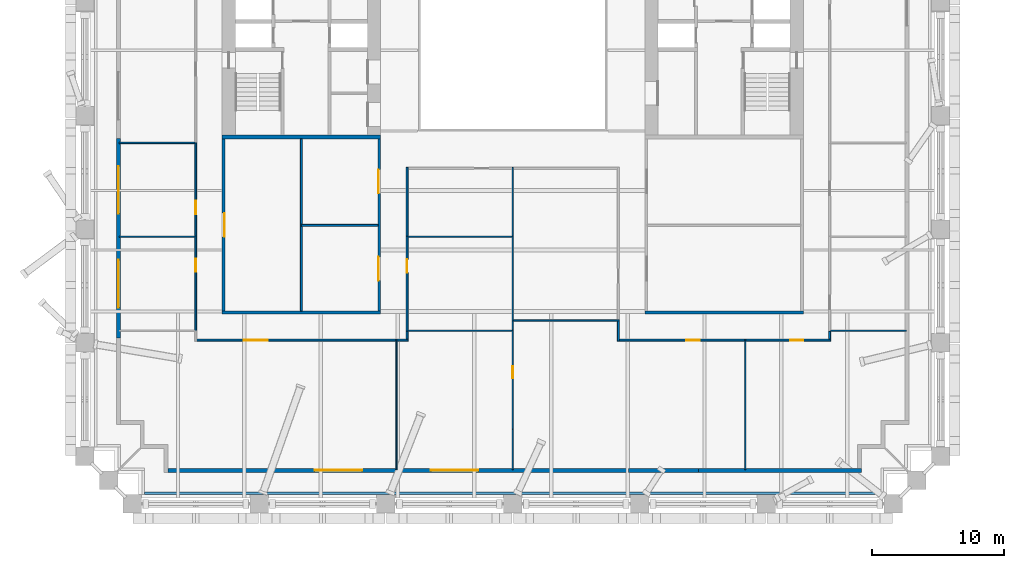
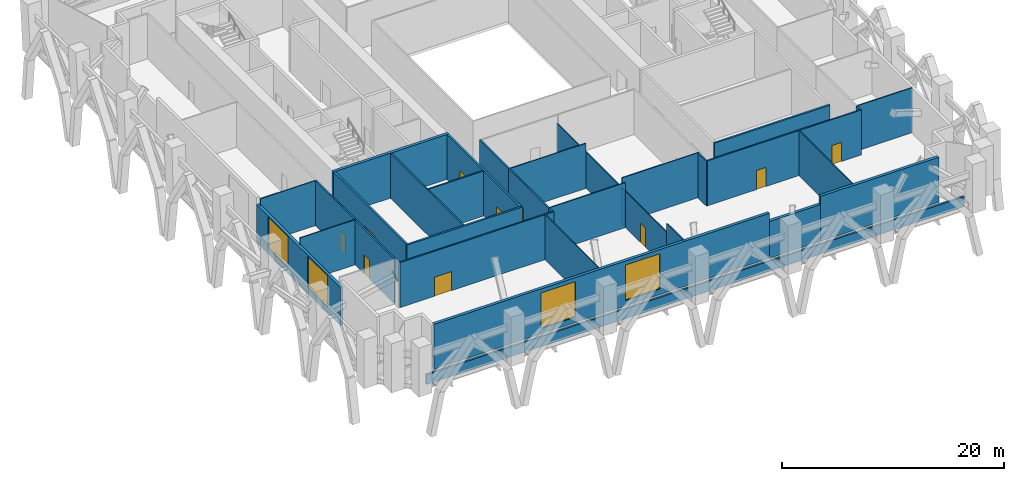
# One storey, part 5 of 19: 36 walls, 10 doors, 4 windows, 14 openings.
"""IFC4 building model written with IfcOpenShell, lengths in metres."""

from ifc_helpers import new_model, si_unit, direction, frame, frame_2d, origin, place, context, subcontext, project, spatial, rectangle, extrude, material, layer, layer_set, type_object, element, fill, save


model = new_model("IFC4")

# Units and contexts
model_context = context("Model", 3, precision=1e-05, world=origin(), true_north=direction((0.0, 1.0)))
body_context = subcontext(model_context, "Body", "Model", "MODEL_VIEW")
ifc_project = project(units=[si_unit("LENGTHUNIT", "METRE"), si_unit("AREAUNIT", "SQUARE_METRE"), si_unit("VOLUMEUNIT", "CUBIC_METRE"), si_unit("PLANEANGLEUNIT", "RADIAN"), si_unit("MASSUNIT", "GRAM", prefix="KILO")], contexts=[model_context])

# Site, building, storey
site_placement = place(None, origin())
site = spatial("IfcSite", under=ifc_project, at=site_placement, CompositionType="ELEMENT")
building_placement = place(site_placement, origin())
building = spatial("IfcBuilding", under=site, at=building_placement, Name="Ogive Exchange Tower", CompositionType="ELEMENT")
storey_placement = place(building_placement, frame((0.0, 0.0, 94.199951171875)))
storey = spatial("IfcBuildingStorey", under=building, at=storey_placement, Name="L20", CompositionType="ELEMENT", Elevation=94.199951171875)

# Walls
ifc_material_1 = material(Name="Gypsum board partition")
ifc_layer_1 = layer(ifc_material_1, 0.14990234375)
ifc_layer_set_1 = layer_set([ifc_layer_1], Name="Core room partition 150 gypsum")
wall_type_1 = type_object("IfcWallType", Name="Core room partition 150 gypsum", PredefinedType="PARTITIONING", material=ifc_layer_set_1)
wall_1_placement = place(storey_placement, frame((-16.0, -15.800048828125, 0.0), z_axis=(0.0, 0.0, 1.0), x_axis=(0.0, 1.0, 0.0)))
element("IfcWall", 1, at=wall_1_placement, inside=storey, type_object=wall_type_1, Name="W annex S column wall", PredefinedType="PARTITIONING", context=body_context, shape_type="SweptSolid", body=[
    extrude(rectangle(XDim=13.050048828125, YDim=0.14990234375, at=frame_2d((6.52490234375, 0.0))), origin(), (0.0, 0.0, 1.0), 4.949951171875),
])
wall_2_placement = place(storey_placement, frame((-16.0, -9.300048828125, 0.0), z_axis=(0.0, 0.0, 1.0), x_axis=(1.0, 0.0, 0.0)))
element("IfcWall", 2, at=wall_2_placement, inside=storey, type_object=wall_type_1, Name="W annex S cross wall", PredefinedType="PARTITIONING", context=body_context, shape_type="SweptSolid", body=[
    extrude(rectangle(XDim=5.800048828125, YDim=0.14990234375, at=frame_2d((2.89990234375, 0.0))), origin(), (0.0, 0.0, 1.0), 4.949951171875),
])

# Wall, opening, door
ifc_material_2 = material(Name="Fire partition EI 60 150")
ifc_layer_2 = layer(ifc_material_2, 0.14990234375)
ifc_layer_set_2 = layer_set([ifc_layer_2], Name="Fire partition EI 60 150")
wall_type_2 = type_object("IfcWallType", Name="Fire partition EI 60 150", PredefinedType="PARTITIONING", material=ifc_layer_set_2)
wall_3_placement = place(storey_placement, frame((-24.0, -17.2900390625, 0.0), z_axis=(0.0, 0.0, 1.0), x_axis=(0.0, 1.0, 0.0)))
wall_3 = element("IfcWall", 3, at=wall_3_placement, inside=storey, type_object=wall_type_2, Name="L20-PWL-004", PredefinedType="PARTITIONING", context=body_context, shape_type="SweptSolid", body=[
    extrude(rectangle(XDim=7.169921875, YDim=0.14990234375, at=frame_2d((3.5849609375, 0.0))), origin(), (0.0, 0.0, 1.0), 4.949951171875),
])
opening_1_placement = place(wall_3_placement, frame((4.469970703125, 0.0, 0.0)))
opening_1 = element("IfcOpeningElement", 4, at=opening_1_placement, cuts=wall_3, Name="Opening L20-I15", PredefinedType="OPENING", context=body_context, shape_type="SweptSolid", body=[
    extrude(rectangle(XDim=1.0, YDim=2.10009765625, at=frame_2d((0.5, 1.050048828125))), frame((0.0, 0.0849609375, 0.0), z_axis=(0.0, -1.0, 0.0), x_axis=(1.0, 0.0, 0.0)), (0.0, 0.0, 1.0), 0.169921875),
])
ifc_material_3 = material(Name="Fire door FD 30S 1000 x 2100")
door_type_1 = type_object("IfcDoorType", Name="Fire door FD 30S 1000 x 2100", OperationType="NOTDEFINED", PredefinedType="DOOR", material=ifc_material_3)
door_1_placement = place(opening_1_placement, origin())
door_1 = element("IfcDoor", 5, at=door_1_placement, inside=storey, type_object=door_type_1, Name="L20-IDR-015", ObjectType="DT3", OperationType="SINGLE_SWING_LEFT", OverallHeight=2.10009765625, OverallWidth=1.0, PredefinedType="DOOR", context=body_context, shape_type="SweptSolid", body=[
    extrude(rectangle(XDim=1.0, YDim=2.10009765625, at=frame_2d((0.5, 1.050048828125))), frame((0.0, 0.02490234375, 0.0), z_axis=(0.0, -1.0, 0.0), x_axis=(1.0, 0.0, 0.0)), (0.0, 0.0, 1.0), 0.050048828125),
])
fill(opening_1, door_1)

wall_4_placement = place(storey_placement, frame((-24.0, -10.1201171875, 0.0), z_axis=(0.0, 0.0, 1.0), x_axis=(0.0, 1.0, 0.0)))
wall_4 = element("IfcWall", 6, at=wall_4_placement, inside=storey, type_object=wall_type_2, Name="L20-PWL-006", PredefinedType="PARTITIONING", context=body_context, shape_type="SweptSolid", body=[
    extrude(rectangle(XDim=7.06005859375, YDim=0.14990234375, at=frame_2d((3.530029296875, 0.0))), origin(), (0.0, 0.0, 1.0), 4.949951171875),
])
opening_2_placement = place(wall_4_placement, frame((1.659912109375, 0.0, 0.0)))
opening_2 = element("IfcOpeningElement", 7, at=opening_2_placement, cuts=wall_4, Name="Opening L20-I13", PredefinedType="OPENING", context=body_context, shape_type="SweptSolid", body=[
    extrude(rectangle(XDim=1.0, YDim=2.10009765625, at=frame_2d((0.5, 1.050048828125))), frame((0.0, 0.0849609375, 0.0), z_axis=(0.0, -1.0, 0.0), x_axis=(1.0, 0.0, 0.0)), (0.0, 0.0, 1.0), 0.169921875),
])
door_2_placement = place(opening_2_placement, origin())
door_2 = element("IfcDoor", 8, at=door_2_placement, inside=storey, type_object=door_type_1, Name="L20-IDR-013", ObjectType="DT3", OperationType="SINGLE_SWING_RIGHT", OverallHeight=2.10009765625, OverallWidth=1.0, PredefinedType="DOOR", context=body_context, shape_type="SweptSolid", body=[
    extrude(rectangle(XDim=1.0, YDim=2.10009765625, at=frame_2d((0.5, 1.050048828125))), frame((0.0, 0.02490234375, 0.0), z_axis=(0.0, -1.0, 0.0), x_axis=(1.0, 0.0, 0.0)), (0.0, 0.0, 1.0), 0.050048828125),
])
fill(opening_2, door_2)

wall_5_placement = place(storey_placement, frame((-8.85009765625, -18.0, 0.0), z_axis=(0.0, 0.0, 1.0), x_axis=(-1.0, 0.0, 0.0)))
wall_5 = element("IfcWall", 9, at=wall_5_placement, inside=storey, type_object=wall_type_2, Name="L20-PWL-012", PredefinedType="PARTITIONING", context=body_context, shape_type="SweptSolid", body=[
    extrude(rectangle(XDim=15.074951171875, YDim=0.14990234375, at=frame_2d((7.53759765625, 0.0))), origin(), (0.0, 0.0, 1.0), 4.949951171875),
])
opening_3_placement = place(wall_5_placement, frame((9.699951171875, 0.0, 0.0)))
opening_3 = element("IfcOpeningElement", 10, at=opening_3_placement, cuts=wall_5, Name="Opening L20-I17", PredefinedType="OPENING", context=body_context, shape_type="SweptSolid", body=[
    extrude(rectangle(XDim=1.800048828125, YDim=2.10009765625, at=frame_2d((0.89990234375, 1.050048828125))), frame((0.0, 0.0849609375, 0.0), z_axis=(0.0, -1.0, 0.0), x_axis=(1.0, 0.0, 0.0)), (0.0, 0.0, 1.0), 0.169921875),
])
ifc_material_4 = material(Name="Fire door FD 30S 1800 x 2100")
door_type_2 = type_object("IfcDoorType", Name="Fire door FD 30S 1800 x 2100", OperationType="DOUBLE_DOOR_SINGLE_SWING", PredefinedType="DOOR", material=ifc_material_4)
door_3_placement = place(opening_3_placement, origin())
door_3 = element("IfcDoor", 11, at=door_3_placement, inside=storey, type_object=door_type_2, Name="L20-IDR-017", ObjectType="DT4", OperationType="SINGLE_SWING_RIGHT", OverallHeight=2.10009765625, OverallWidth=1.800048828125, PredefinedType="DOOR", context=body_context, shape_type="SweptSolid", body=[
    extrude(rectangle(XDim=1.800048828125, YDim=2.10009765625, at=frame_2d((0.89990234375, 1.050048828125))), frame((0.0, 0.02490234375, 0.0), z_axis=(0.0, -1.0, 0.0), x_axis=(1.0, 0.0, 0.0)), (0.0, 0.0, 1.0), 0.050048828125),
])
fill(opening_3, door_3)

# Walls
wall_6_placement = place(storey_placement, frame((-7.925048828125, -18.0, 0.0), z_axis=(0.0, 0.0, 1.0), x_axis=(-1.0, 0.0, 0.0)))
element("IfcWall", 12, at=wall_6_placement, inside=storey, type_object=wall_type_2, Name="L20-PWL-014", PredefinedType="PARTITIONING", context=body_context, shape_type="SweptSolid", body=[
    extrude(rectangle(XDim=0.824951171875, YDim=0.14990234375, at=frame_2d((0.41259765625, 0.0))), origin(), (0.0, 0.0, 1.0), 4.949951171875),
])
wall_7_placement = place(storey_placement, frame((-8.0, -17.340087890625, 0.0), z_axis=(0.0, 0.0, 1.0), x_axis=(0.0, -1.0, 0.0)))
element("IfcWall", 13, at=wall_7_placement, inside=storey, type_object=wall_type_2, Name="L20-PWL-015", PredefinedType="PARTITIONING", context=body_context, shape_type="SweptSolid", body=[
    extrude(rectangle(XDim=0.5849609375, YDim=0.14990234375, at=frame_2d((0.29248046875, 0.0))), origin(), (0.0, 0.0, 1.0), 4.949951171875),
])

# Wall, opening, door
wall_8_placement = place(storey_placement, frame((-8.0, -10.1201171875, 0.0), z_axis=(0.0, 0.0, 1.0), x_axis=(0.0, -1.0, 0.0)))
wall_8 = element("IfcWall", 14, at=wall_8_placement, inside=storey, type_object=wall_type_2, Name="L20-PWL-016", PredefinedType="PARTITIONING", context=body_context, shape_type="SweptSolid", body=[
    extrude(rectangle(XDim=7.219970703125, YDim=0.14990234375, at=frame_2d((3.60986328125, 0.0))), origin(), (0.0, 0.0, 1.0), 4.949951171875),
])
opening_4_placement = place(wall_8_placement, frame((1.77001953125, 0.0, 0.0)))
opening_4 = element("IfcOpeningElement", 15, at=opening_4_placement, cuts=wall_8, Name="Opening L20-I14", PredefinedType="OPENING", context=body_context, shape_type="SweptSolid", body=[
    extrude(rectangle(XDim=1.0, YDim=2.10009765625, at=frame_2d((0.5, 1.050048828125))), frame((0.0, 0.0849609375, 0.0), z_axis=(0.0, -1.0, 0.0), x_axis=(1.0, 0.0, 0.0)), (0.0, 0.0, 1.0), 0.169921875),
])
door_4_placement = place(opening_4_placement, origin())
door_4 = element("IfcDoor", 16, at=door_4_placement, inside=storey, type_object=door_type_1, Name="L20-IDR-014", ObjectType="DT3", OperationType="SINGLE_SWING_RIGHT", OverallHeight=2.10009765625, OverallWidth=1.0, PredefinedType="DOOR", context=body_context, shape_type="SweptSolid", body=[
    extrude(rectangle(XDim=1.0, YDim=2.10009765625, at=frame_2d((0.5, 1.050048828125))), frame((0.0, 0.02490234375, 0.0), z_axis=(0.0, -1.0, 0.0), x_axis=(1.0, 0.0, 0.0)), (0.0, 0.0, 1.0), 0.050048828125),
])
fill(opening_4, door_4)

# Walls
wall_9_placement = place(storey_placement, frame((-8.0, -4.925048828125, 0.0), z_axis=(0.0, 0.0, 1.0), x_axis=(0.0, -1.0, 0.0)))
element("IfcWall", 17, at=wall_9_placement, inside=storey, type_object=wall_type_2, Name="L20-PWL-017", PredefinedType="PARTITIONING", context=body_context, shape_type="SweptSolid", body=[
    extrude(rectangle(XDim=5.195068359375, YDim=0.14990234375, at=frame_2d((2.59765625, 0.0))), origin(), (0.0, 0.0, 1.0), 4.949951171875),
])
wall_10_placement = place(storey_placement, frame((8.0, -18.074951171875, 0.0), z_axis=(0.0, 0.0, 1.0), x_axis=(0.0, 1.0, 0.0)))
element("IfcWall", 18, at=wall_10_placement, inside=storey, type_object=wall_type_2, Name="L20-PWL-028", PredefinedType="PARTITIONING", context=body_context, shape_type="SweptSolid", body=[
    extrude(rectangle(XDim=1.52490234375, YDim=0.14990234375, at=frame_2d((0.762451171875, 0.0))), origin(), (0.0, 0.0, 1.0), 4.949951171875),
])

# Wall, opening, door
wall_11_placement = place(storey_placement, frame((17.550048828125, -18.0, 0.0), z_axis=(0.0, 0.0, 1.0), x_axis=(-1.0, 0.0, 0.0)))
wall_11 = element("IfcWall", 19, at=wall_11_placement, inside=storey, type_object=wall_type_2, Name="L20-PWL-034", PredefinedType="PARTITIONING", context=body_context, shape_type="SweptSolid", body=[
    extrude(rectangle(XDim=9.47509765625, YDim=0.14990234375, at=frame_2d((4.737548828125, 0.0))), origin(), (0.0, 0.0, 1.0), 4.949951171875),
])
opening_5_placement = place(wall_11_placement, frame((3.39990234375, 0.0, 0.0)))
opening_5 = element("IfcOpeningElement", 20, at=opening_5_placement, cuts=wall_11, Name="Opening L20-I10", PredefinedType="OPENING", context=body_context, shape_type="SweptSolid", body=[
    extrude(rectangle(XDim=1.0, YDim=2.10009765625, at=frame_2d((0.5, 1.050048828125))), frame((0.0, 0.0849609375, 0.0), z_axis=(0.0, -1.0, 0.0), x_axis=(1.0, 0.0, 0.0)), (0.0, 0.0, 1.0), 0.169921875),
])
door_5_placement = place(opening_5_placement, origin())
door_5 = element("IfcDoor", 21, at=door_5_placement, inside=storey, type_object=door_type_1, Name="L20-IDR-010", ObjectType="DT3", OperationType="SINGLE_SWING_RIGHT", OverallHeight=2.10009765625, OverallWidth=1.0, PredefinedType="DOOR", context=body_context, shape_type="SweptSolid", body=[
    extrude(rectangle(XDim=1.0, YDim=2.10009765625, at=frame_2d((0.5, 1.050048828125))), frame((0.0, 0.02490234375, 0.0), z_axis=(0.0, -1.0, 0.0), x_axis=(1.0, 0.0, 0.0)), (0.0, 0.0, 1.0), 0.050048828125),
])
fill(opening_5, door_5)

wall_12_placement = place(storey_placement, frame((24.074951171875, -18.0, 0.0), z_axis=(0.0, 0.0, 1.0), x_axis=(-1.0, 0.0, 0.0)))
wall_12 = element("IfcWall", 22, at=wall_12_placement, inside=storey, type_object=wall_type_2, Name="L20-PWL-035", PredefinedType="PARTITIONING", context=body_context, shape_type="SweptSolid", body=[
    extrude(rectangle(XDim=6.425048828125, YDim=0.14990234375, at=frame_2d((3.21240234375, 0.0))), origin(), (0.0, 0.0, 1.0), 4.949951171875),
])
opening_6_placement = place(wall_12_placement, frame((2.074951171875, 0.0, 0.0)))
opening_6 = element("IfcOpeningElement", 23, at=opening_6_placement, cuts=wall_12, Name="Opening L20-I09", PredefinedType="OPENING", context=body_context, shape_type="SweptSolid", body=[
    extrude(rectangle(XDim=1.0, YDim=2.10009765625, at=frame_2d((0.5, 1.050048828125))), frame((0.0, 0.0849609375, 0.0), z_axis=(0.0, -1.0, 0.0), x_axis=(1.0, 0.0, 0.0)), (0.0, 0.0, 1.0), 0.169921875),
])
door_6_placement = place(opening_6_placement, origin())
door_6 = element("IfcDoor", 24, at=door_6_placement, inside=storey, type_object=door_type_1, Name="L20-IDR-009", ObjectType="DT3", OperationType="SINGLE_SWING_LEFT", OverallHeight=2.10009765625, OverallWidth=1.0, PredefinedType="DOOR", context=body_context, shape_type="SweptSolid", body=[
    extrude(rectangle(XDim=1.0, YDim=2.10009765625, at=frame_2d((0.5, 1.050048828125))), frame((0.0, 0.02490234375, 0.0), z_axis=(0.0, -1.0, 0.0), x_axis=(1.0, 0.0, 0.0)), (0.0, 0.0, 1.0), 0.050048828125),
])
fill(opening_6, door_6)

# Wall
wall_13_placement = place(storey_placement, frame((24.0, -17.340087890625, 0.0), z_axis=(0.0, 0.0, 1.0), x_axis=(0.0, -1.0, 0.0)))
element("IfcWall", 25, at=wall_13_placement, inside=storey, type_object=wall_type_2, Name="L20-PWL-036", PredefinedType="PARTITIONING", context=body_context, shape_type="SweptSolid", body=[
    extrude(rectangle(XDim=0.5849609375, YDim=0.14990234375, at=frame_2d((0.29248046875, 0.0))), origin(), (0.0, 0.0, 1.0), 4.949951171875),
])

# Wall, openings, windows
ifc_material_5 = material(Name="Precast concrete C40/50", Category="concrete")
ifc_layer_3 = layer(ifc_material_5, 0.300048828125)
ifc_layer_set_3 = layer_set([ifc_layer_3], Name="Limestone-faced wall 300")
wall_type_3 = type_object("IfcWallType", Name="Limestone-faced wall 300", PredefinedType="STANDARD", material=ifc_layer_set_3)
wall_14_placement = place(storey_placement, frame((-26.10009765625, -27.85009765625, 0.0), z_axis=(0.0, 0.0, 1.0), x_axis=(1.0, 0.0, 0.0)))
wall_14 = element("IfcWall", 26, at=wall_14_placement, inside=storey, type_object=wall_type_3, Name="External wall S1", PredefinedType="STANDARD", context=body_context, shape_type="SweptSolid", body=[
    extrude(rectangle(XDim=34.873046875, YDim=0.300048828125, at=frame_2d((17.4365234375, 0.0))), origin(), (0.0, 0.0, 1.0), 4.949951171875),
])
opening_7_placement = place(wall_14_placement, frame((11.10009765625, 0.0, 0.60009765625)))
opening_7 = element("IfcOpeningElement", 27, at=opening_7_placement, cuts=wall_14, Name="Opening LV1", PredefinedType="OPENING", context=body_context, shape_type="SweptSolid", body=[
    extrude(rectangle(XDim=3.60009765625, YDim=3.89990234375, at=frame_2d((1.800048828125, 1.949951171875))), frame((0.0, 0.159912109375, 0.0), z_axis=(0.0, -1.0, 0.0), x_axis=(1.0, 0.0, 0.0)), (0.0, 0.0, 1.0), 0.320068359375),
])
opening_8_placement = place(wall_14_placement, frame((19.89990234375, 0.0, 0.60009765625)))
opening_8 = element("IfcOpeningElement", 28, at=opening_8_placement, cuts=wall_14, Name="Opening LV1", PredefinedType="OPENING", context=body_context, shape_type="SweptSolid", body=[
    extrude(rectangle(XDim=3.60009765625, YDim=3.89990234375, at=frame_2d((1.800048828125, 1.949951171875))), frame((0.0, 0.159912109375, 0.0), z_axis=(0.0, -1.0, 0.0), x_axis=(1.0, 0.0, 0.0)), (0.0, 0.0, 1.0), 0.320068359375),
])
ifc_material_6 = material(Name="Anodised aluminium louvre", Category="aluminium")
window_type_1 = type_object("IfcWindowType", Name="Plant louvre 3600 x 3900", PartitioningType="DOUBLE_PANEL_HORIZONTAL", PredefinedType="WINDOW", material=ifc_material_6)
window_1_placement = place(opening_7_placement, origin())
window_1 = element("IfcWindow", 29, at=window_1_placement, inside=storey, type_object=window_type_1, Name="Louvre S01", OverallHeight=3.89990234375, OverallWidth=3.60009765625, PartitioningType="DOUBLE_PANEL_HORIZONTAL", PredefinedType="WINDOW", context=body_context, shape_type="SweptSolid", body=[
    extrude(rectangle(XDim=3.60009765625, YDim=3.89990234375, at=frame_2d((1.800048828125, 1.949951171875))), frame((0.0, 0.030029296875, 0.0), z_axis=(0.0, -1.0, 0.0), x_axis=(1.0, 0.0, 0.0)), (0.0, 0.0, 1.0), 0.06005859375),
])
fill(opening_7, window_1)
window_2_placement = place(opening_8_placement, origin())
window_2 = element("IfcWindow", 30, at=window_2_placement, inside=storey, type_object=window_type_1, Name="Louvre S02", OverallHeight=3.89990234375, OverallWidth=3.60009765625, PartitioningType="DOUBLE_PANEL_HORIZONTAL", PredefinedType="WINDOW", context=body_context, shape_type="SweptSolid", body=[
    extrude(rectangle(XDim=3.60009765625, YDim=3.89990234375, at=frame_2d((1.800048828125, 1.949951171875))), frame((0.0, 0.030029296875, 0.0), z_axis=(0.0, -1.0, 0.0), x_axis=(1.0, 0.0, 0.0)), (0.0, 0.0, 1.0), 0.06005859375),
])
fill(opening_8, window_2)

# Walls
wall_15_placement = place(storey_placement, frame((8.77294921875, -27.85009765625, 0.0), z_axis=(0.0, 0.0, 1.0), x_axis=(1.0, 0.0, 0.0)))
element("IfcWall", 31, at=wall_15_placement, inside=storey, type_object=wall_type_3, Name="External wall S1", PredefinedType="STANDARD", context=body_context, shape_type="SweptSolid", body=[
    extrude(rectangle(XDim=5.30029296875, YDim=0.300048828125, at=frame_2d((2.650146484375, 0.0))), origin(), (0.0, 0.0, 1.0), 4.050048828125),
])
wall_16_placement = place(storey_placement, frame((14.0732421875, -27.85009765625, 0.0), z_axis=(0.0, 0.0, 1.0), x_axis=(1.0, 0.0, 0.0)))
element("IfcWall", 32, at=wall_16_placement, inside=storey, type_object=wall_type_3, Name="External wall S1", PredefinedType="STANDARD", context=body_context, shape_type="SweptSolid", body=[
    extrude(rectangle(XDim=12.32666015625, YDim=0.300048828125, at=frame_2d((6.163330078125, 0.0))), origin(), (0.0, 0.0, 1.0), 4.949951171875),
])

# Wall, openings, windows
wall_17_placement = place(storey_placement, frame((-29.85009765625, -2.728515625, 0.0), z_axis=(0.0, 0.0, 1.0), x_axis=(0.0, -1.0, 0.0)))
wall_17 = element("IfcWall", 33, at=wall_17_placement, inside=storey, type_object=wall_type_3, Name="External wall W4", PredefinedType="STANDARD", context=body_context, shape_type="SweptSolid", body=[
    extrude(rectangle(XDim=15.10400390625, YDim=0.300048828125, at=frame_2d((7.552001953125, 0.0))), origin(), (0.0, 0.0, 1.0), 4.196044921875),
])
opening_9_placement = place(wall_17_placement, frame((2.085693359375, 0.0, 0.60009765625)))
opening_9 = element("IfcOpeningElement", 34, at=opening_9_placement, cuts=wall_17, Name="Opening LV1F", PredefinedType="OPENING", context=body_context, shape_type="SweptSolid", body=[
    extrude(rectangle(XDim=3.60009765625, YDim=3.47509765625, at=frame_2d((1.800048828125, 1.737548828125))), frame((0.0, 0.159912109375, 0.0), z_axis=(0.0, -1.0, 0.0), x_axis=(1.0, 0.0, 0.0)), (0.0, 0.0, 1.0), 0.320068359375),
])
opening_10_placement = place(wall_17_placement, frame((9.199951171875, 0.0, 0.60009765625)))
opening_10 = element("IfcOpeningElement", 35, at=opening_10_placement, cuts=wall_17, Name="Opening LV1F", PredefinedType="OPENING", context=body_context, shape_type="SweptSolid", body=[
    extrude(rectangle(XDim=3.60009765625, YDim=3.47509765625, at=frame_2d((1.800048828125, 1.737548828125))), frame((0.0, 0.159912109375, 0.0), z_axis=(0.0, -1.0, 0.0), x_axis=(1.0, 0.0, 0.0)), (0.0, 0.0, 1.0), 0.320068359375),
])
window_type_2 = type_object("IfcWindowType", Name="Plant louvre 3600 x 3475", PartitioningType="DOUBLE_PANEL_HORIZONTAL", PredefinedType="WINDOW", material=ifc_material_6)
window_3_placement = place(opening_9_placement, origin())
window_3 = element("IfcWindow", 36, at=window_3_placement, inside=storey, type_object=window_type_2, Name="Louvre W04", OverallHeight=3.47509765625, OverallWidth=3.60009765625, PartitioningType="DOUBLE_PANEL_HORIZONTAL", PredefinedType="WINDOW", context=body_context, shape_type="SweptSolid", body=[
    extrude(rectangle(XDim=3.60009765625, YDim=3.47509765625, at=frame_2d((1.800048828125, 1.737548828125))), frame((0.0, 0.030029296875, 0.0), z_axis=(0.0, -1.0, 0.0), x_axis=(1.0, 0.0, 0.0)), (0.0, 0.0, 1.0), 0.06005859375),
])
fill(opening_9, window_3)
window_4_placement = place(opening_10_placement, origin())
window_4 = element("IfcWindow", 37, at=window_4_placement, inside=storey, type_object=window_type_2, Name="Louvre W05", OverallHeight=3.47509765625, OverallWidth=3.60009765625, PartitioningType="DOUBLE_PANEL_HORIZONTAL", PredefinedType="WINDOW", context=body_context, shape_type="SweptSolid", body=[
    extrude(rectangle(XDim=3.60009765625, YDim=3.47509765625, at=frame_2d((1.800048828125, 1.737548828125))), frame((0.0, 0.030029296875, 0.0), z_axis=(0.0, -1.0, 0.0), x_axis=(1.0, 0.0, 0.0)), (0.0, 0.0, 1.0), 0.06005859375),
])
fill(opening_10, window_4)

# Walls
ifc_material_7 = material(Name="Partition 100 gypsum")
ifc_layer_4 = layer(ifc_material_7, 0.10009765625)
ifc_layer_set_4 = layer_set([ifc_layer_4], Name="Partition 100 gypsum")
wall_type_4 = type_object("IfcWallType", Name="Partition 100 gypsum", PredefinedType="PARTITIONING", material=ifc_layer_set_4)
for number, where, z_axis, x_axis, name in (
    (38, (-24.074951171875, -10.169921875, 0.0), (0.0, 0.0, 1.0), (-1.0, 0.0, 0.0), "L20-PWL-005"),
    (39, (-24.074951171875, -3.06005859375, 0.0), (0.0, 0.0, 1.0), (-1.0, 0.0, 0.0), "L20-PWL-007"),
):
    element("IfcWall", number, at=place(storey_placement, frame(where, z_axis=z_axis, x_axis=x_axis)), inside=storey, type_object=wall_type_4, Name=name, PredefinedType="PARTITIONING", context=body_context, shape_type="SweptSolid", body=[
        extrude(rectangle(XDim=5.72509765625, YDim=0.10009765625, at=frame_2d((2.862548828125, 0.0))), origin(), (0.0, 0.0, 1.0), 4.949951171875),
    ])
wall_18_placement = place(storey_placement, frame((-8.800048828125, -27.800048828125, 0.0), z_axis=(0.0, 0.0, 1.0), x_axis=(0.0, 1.0, 0.0)))
element("IfcWall", 40, at=wall_18_placement, inside=storey, type_object=wall_type_4, Name="L20-PWL-011", PredefinedType="PARTITIONING", context=body_context, shape_type="SweptSolid", body=[
    extrude(rectangle(XDim=9.875, YDim=0.10009765625, at=frame_2d((4.9375, 0.0))), origin(), (0.0, 0.0, 1.0), 4.949951171875),
])
wall_19_placement = place(storey_placement, frame((0.0, -27.800048828125, 0.0), z_axis=(0.0, 0.0, 1.0), x_axis=(0.0, 1.0, 0.0)))
element("IfcWall", 41, at=wall_19_placement, inside=storey, type_object=wall_type_4, Name="L20-PWL-020", PredefinedType="PARTITIONING", context=body_context, shape_type="SweptSolid", body=[
    extrude(rectangle(XDim=3.049072265625, YDim=0.10009765625, at=frame_2d((1.5244140625, 0.0))), origin(), (0.0, 0.0, 1.0), 4.949951171875),
])
wall_20_placement = place(storey_placement, frame((-0.050048828125, -17.2900390625, 0.0), z_axis=(0.0, 0.0, 1.0), x_axis=(-1.0, 0.0, 0.0)))
element("IfcWall", 42, at=wall_20_placement, inside=storey, type_object=wall_type_4, Name="L20-PWL-021", PredefinedType="PARTITIONING", context=body_context, shape_type="SweptSolid", body=[
    extrude(rectangle(XDim=7.875, YDim=0.10009765625, at=frame_2d((3.9375, 0.0))), origin(), (0.0, 0.0, 1.0), 4.949951171875),
])
wall_21_placement = place(storey_placement, frame((0.0, -17.239990234375, 0.0), z_axis=(0.0, 0.0, 1.0), x_axis=(0.0, 1.0, 0.0)))
element("IfcWall", 43, at=wall_21_placement, inside=storey, type_object=wall_type_4, Name="L20-PWL-022", PredefinedType="PARTITIONING", context=body_context, shape_type="SweptSolid", body=[
    extrude(rectangle(XDim=0.68994140625, YDim=0.10009765625, at=frame_2d((0.344970703125, 0.0))), origin(), (0.0, 0.0, 1.0), 3.969970703125),
])
wall_22_placement = place(storey_placement, frame((0.0, -16.550048828125, 0.0), z_axis=(0.0, 0.0, 1.0), x_axis=(0.0, 1.0, 0.0)))
element("IfcWall", 44, at=wall_22_placement, inside=storey, type_object=wall_type_4, Name="L20-PWL-023", PredefinedType="PARTITIONING", context=body_context, shape_type="SweptSolid", body=[
    extrude(rectangle(XDim=6.429931640625, YDim=0.10009765625, at=frame_2d((3.21484375, 0.0))), origin(), (0.0, 0.0, 1.0), 3.969970703125),
])
wall_23_placement = place(storey_placement, frame((0.050048828125, -16.5, 0.0), z_axis=(0.0, 0.0, 1.0), x_axis=(1.0, 0.0, 0.0)))
element("IfcWall", 45, at=wall_23_placement, inside=storey, type_object=wall_type_4, Name="L20-PWL-024", PredefinedType="PARTITIONING", context=body_context, shape_type="SweptSolid", body=[
    extrude(rectangle(XDim=8.02490234375, YDim=0.10009765625, at=frame_2d((4.012451171875, 0.0))), origin(), (0.0, 0.0, 1.0), 4.949951171875),
])
wall_24_placement = place(storey_placement, frame((-0.050048828125, -10.169921875, 0.0), z_axis=(0.0, 0.0, 1.0), x_axis=(-1.0, 0.0, 0.0)))
element("IfcWall", 46, at=wall_24_placement, inside=storey, type_object=wall_type_4, Name="L20-PWL-025", PredefinedType="PARTITIONING", context=body_context, shape_type="SweptSolid", body=[
    extrude(rectangle(XDim=7.875, YDim=0.10009765625, at=frame_2d((3.9375, 0.0))), origin(), (0.0, 0.0, 1.0), 4.949951171875),
])
wall_25_placement = place(storey_placement, frame((0.0, -10.1201171875, 0.0), z_axis=(0.0, 0.0, 1.0), x_axis=(0.0, 1.0, 0.0)))
element("IfcWall", 47, at=wall_25_placement, inside=storey, type_object=wall_type_4, Name="L20-PWL-026", PredefinedType="PARTITIONING", context=body_context, shape_type="SweptSolid", body=[
    extrude(rectangle(XDim=5.195068359375, YDim=0.10009765625, at=frame_2d((2.59765625, 0.0))), origin(), (0.0, 0.0, 1.0), 3.969970703125),
])
wall_26_placement = place(storey_placement, frame((17.60009765625, -27.800048828125, 0.0), z_axis=(0.0, 0.0, 1.0), x_axis=(0.0, 1.0, 0.0)))
element("IfcWall", 48, at=wall_26_placement, inside=storey, type_object=wall_type_4, Name="L20-PWL-033", PredefinedType="PARTITIONING", context=body_context, shape_type="SweptSolid", body=[
    extrude(rectangle(XDim=9.875, YDim=0.10009765625, at=frame_2d((4.9375, 0.0))), origin(), (0.0, 0.0, 1.0), 4.949951171875),
])
wall_27_placement = place(storey_placement, frame((29.800048828125, -17.2900390625, 0.0), z_axis=(0.0, 0.0, 1.0), x_axis=(-1.0, 0.0, 0.0)))
element("IfcWall", 49, at=wall_27_placement, inside=storey, type_object=wall_type_4, Name="L20-PWL-045", PredefinedType="PARTITIONING", context=body_context, shape_type="SweptSolid", body=[
    extrude(rectangle(XDim=5.72509765625, YDim=0.10009765625, at=frame_2d((2.862548828125, 0.0))), origin(), (0.0, 0.0, 1.0), 4.949951171875),
])

# Wall, opening, door
wall_28_placement = place(storey_placement, frame((0.0, -24.7509765625, 0.0), z_axis=(0.0, 0.0, 1.0), x_axis=(0.0, 1.0, 0.0)))
wall_28 = element("IfcWall", 50, at=wall_28_placement, inside=storey, type_object=wall_type_4, Name="L20-PWL-020", PredefinedType="PARTITIONING", context=body_context, shape_type="SweptSolid", body=[
    extrude(rectangle(XDim=7.510986328125, YDim=0.10009765625, at=frame_2d((3.75537109375, 0.0))), origin(), (0.0, 0.0, 1.0), 3.969970703125),
])
opening_11_placement = place(wall_28_placement, frame((3.861083984375, 0.0, 0.0)))
opening_11 = element("IfcOpeningElement", 51, at=opening_11_placement, cuts=wall_28, Name="Opening L20-I16", PredefinedType="OPENING", context=body_context, shape_type="SweptSolid", body=[
    extrude(rectangle(XDim=0.89990234375, YDim=2.10009765625, at=frame_2d((0.449951171875, 1.050048828125))), frame((0.0, 0.06005859375, 0.0), z_axis=(0.0, -1.0, 0.0), x_axis=(1.0, 0.0, 0.0)), (0.0, 0.0, 1.0), 0.1201171875),
])
ifc_material_8 = material(Name="Door 900 x 2100")
door_type_3 = type_object("IfcDoorType", Name="Door 900 x 2100", OperationType="NOTDEFINED", PredefinedType="DOOR", material=ifc_material_8)
door_7_placement = place(opening_11_placement, frame((0.89990234375, 0.0, 0.0), z_axis=(0.0, 0.0, 1.0), x_axis=(-1.0, 0.0, 0.0)))
door_7 = element("IfcDoor", 52, at=door_7_placement, inside=storey, type_object=door_type_3, Name="L20-IDR-016", ObjectType="DT1", OperationType="SINGLE_SWING_RIGHT", OverallHeight=2.10009765625, OverallWidth=0.89990234375, PredefinedType="DOOR", context=body_context, shape_type="SweptSolid", body=[
    extrude(rectangle(XDim=0.89990234375, YDim=2.10009765625, at=frame_2d((0.449951171875, 1.050048828125))), frame((0.0, 0.02490234375, 0.0), z_axis=(0.0, -1.0, 0.0), x_axis=(1.0, 0.0, 0.0)), (0.0, 0.0, 1.0), 0.050048828125),
])
fill(opening_11, door_7)

# Wall
ifc_layer_5 = layer(ifc_material_5, 0.199951171875)
ifc_layer_set_5 = layer_set([ifc_layer_5], Name="Plant deck parapet 200")
wall_type_5 = type_object("IfcWallType", Name="Plant deck parapet 200", PredefinedType="STANDARD", material=ifc_layer_set_5)
wall_29_placement = place(storey_placement, frame((-27.8798828125, -29.580078125, -0.050048828125), z_axis=(0.0, 0.0, 1.0), x_axis=(1.0, 0.0, 0.0)))
element("IfcWall", 53, at=wall_29_placement, inside=storey, type_object=wall_type_5, Name="Plant deck parapet 1", PredefinedType="STANDARD", context=body_context, shape_type="SweptSolid", body=[
    extrude(rectangle(XDim=55.9599609375, YDim=0.199951171875, at=frame_2d((27.97998046875, 0.0))), origin(), (0.0, 0.0, 1.0), 1.10009765625),
])

# Wall, opening, door
ifc_material_9 = material(Name="Concrete C70/85", Category="concrete")
ifc_layer_6 = layer(ifc_material_9, 0.199951171875)
ifc_layer_set_6 = layer_set([ifc_layer_6], Name="RC core wall 200 C70/85")
wall_type_6 = type_object("IfcWallType", Name="RC core wall 200 C70/85", PredefinedType="SHEAR", material=ifc_layer_set_6)
wall_30_placement = place(storey_placement, frame((-21.89990234375, -15.800048828125, 0.0), z_axis=(0.0, 0.0, 1.0), x_axis=(0.0, 1.0, 0.0)))
wall_30 = element("IfcWall", 54, at=wall_30_placement, inside=storey, type_object=wall_type_6, Name="W annex S outer wall", PredefinedType="SHEAR", context=body_context, shape_type="SweptSolid", body=[
    extrude(rectangle(XDim=13.050048828125, YDim=0.199951171875, at=frame_2d((6.52490234375, 0.0))), origin(), (0.0, 0.0, 1.0), 4.949951171875),
])
opening_12_placement = place(wall_30_placement, frame((5.625, 0.0, 0.0)))
opening_12 = element("IfcOpeningElement", 55, at=opening_12_placement, cuts=wall_30, Name="Opening L20-C18", PredefinedType="OPENING", context=body_context, shape_type="SweptSolid", body=[
    extrude(rectangle(XDim=1.800048828125, YDim=2.39990234375, at=frame_2d((0.89990234375, 1.199951171875))), frame((0.0, 0.10986328125, 0.0), z_axis=(0.0, -1.0, 0.0), x_axis=(1.0, 0.0, 0.0)), (0.0, 0.0, 1.0), 0.219970703125),
])
ifc_material_10 = material(Name="Steel fire door", Category="steel")
door_type_4 = type_object("IfcDoorType", Name="Plant room door FD60 1800 x 2400", OperationType="DOUBLE_DOOR_SINGLE_SWING", PredefinedType="DOOR", material=ifc_material_10)
door_8_placement = place(opening_12_placement, frame((1.800048828125, -0.14990234375, 0.0), z_axis=(0.0, 0.0, 1.0), x_axis=(-1.0, 0.0, 0.0)))
door_8 = element("IfcDoor", 56, at=door_8_placement, inside=storey, type_object=door_type_4, Name="Plant room door", ObjectType="CD1", OperationType="DOUBLE_DOOR_SINGLE_SWING", OverallHeight=2.39990234375, OverallWidth=1.800048828125, PredefinedType="DOOR", context=body_context, shape_type="SweptSolid", body=[
    extrude(rectangle(XDim=1.800048828125, YDim=2.39990234375, at=frame_2d((0.89990234375, 1.199951171875))), frame((0.0, -0.0498046875, 0.0), z_axis=(0.0, -1.0, 0.0), x_axis=(1.0, 0.0, 0.0)), (0.0, 0.0, 1.0), 0.050048828125),
])
fill(opening_12, door_8)

# Wall, openings, doors
wall_31_placement = place(storey_placement, frame((-10.10009765625, -15.800048828125, 0.0), z_axis=(0.0, 0.0, 1.0), x_axis=(0.0, 1.0, 0.0)))
wall_31 = element("IfcWall", 57, at=wall_31_placement, inside=storey, type_object=wall_type_6, Name="W annex S inner wall", PredefinedType="SHEAR", context=body_context, shape_type="SweptSolid", body=[
    extrude(rectangle(XDim=13.050048828125, YDim=0.199951171875, at=frame_2d((6.52490234375, 0.0))), origin(), (0.0, 0.0, 1.0), 4.949951171875),
])
opening_13_placement = place(wall_31_placement, frame((2.3125, 0.0, 0.0)))
opening_13 = element("IfcOpeningElement", 58, at=opening_13_placement, cuts=wall_31, Name="Opening L20-C19", PredefinedType="OPENING", context=body_context, shape_type="SweptSolid", body=[
    extrude(rectangle(XDim=1.800048828125, YDim=2.39990234375, at=frame_2d((0.89990234375, 1.199951171875))), frame((0.0, 0.10986328125, 0.0), z_axis=(0.0, -1.0, 0.0), x_axis=(1.0, 0.0, 0.0)), (0.0, 0.0, 1.0), 0.219970703125),
])
opening_14_placement = place(wall_31_placement, frame((8.91259765625, 0.0, 0.0)))
opening_14 = element("IfcOpeningElement", 59, at=opening_14_placement, cuts=wall_31, Name="Opening L20-C20", PredefinedType="OPENING", context=body_context, shape_type="SweptSolid", body=[
    extrude(rectangle(XDim=1.800048828125, YDim=2.39990234375, at=frame_2d((0.89990234375, 1.199951171875))), frame((0.0, 0.10986328125, 0.0), z_axis=(0.0, -1.0, 0.0), x_axis=(1.0, 0.0, 0.0)), (0.0, 0.0, 1.0), 0.219970703125),
])
door_9_placement = place(opening_13_placement, origin())
door_9 = element("IfcDoor", 60, at=door_9_placement, inside=storey, type_object=door_type_4, Name="Plant room door", ObjectType="CD1", OperationType="DOUBLE_DOOR_SINGLE_SWING", OverallHeight=2.39990234375, OverallWidth=1.800048828125, PredefinedType="DOOR", context=body_context, shape_type="SweptSolid", body=[
    extrude(rectangle(XDim=1.800048828125, YDim=2.39990234375, at=frame_2d((0.89990234375, 1.199951171875))), frame((0.0, 0.10009765625, 0.0), z_axis=(0.0, -1.0, 0.0), x_axis=(1.0, 0.0, 0.0)), (0.0, 0.0, 1.0), 0.050048828125),
])
fill(opening_13, door_9)
door_10_placement = place(opening_14_placement, origin())
door_10 = element("IfcDoor", 61, at=door_10_placement, inside=storey, type_object=door_type_4, Name="Plant room door", ObjectType="CD1", OperationType="DOUBLE_DOOR_SINGLE_SWING", OverallHeight=2.39990234375, OverallWidth=1.800048828125, PredefinedType="DOOR", context=body_context, shape_type="SweptSolid", body=[
    extrude(rectangle(XDim=1.800048828125, YDim=2.39990234375, at=frame_2d((0.89990234375, 1.199951171875))), frame((0.0, 0.10009765625, 0.0), z_axis=(0.0, -1.0, 0.0), x_axis=(1.0, 0.0, 0.0)), (0.0, 0.0, 1.0), 0.050048828125),
])
fill(opening_14, door_10)

# Walls
for number, where, z_axis, x_axis, name in (
    (62, (-22.0, -15.89990234375, 0.0), (0.0, 0.0, 1.0), (1.0, 0.0, 0.0), "W annex S end wall"),
    (63, (10.0, -15.89990234375, 0.0), (0.0, 0.0, 1.0), (1.0, 0.0, 0.0), "E annex S end wall"),
):
    element("IfcWall", number, at=place(storey_placement, frame(where, z_axis=z_axis, x_axis=x_axis)), inside=storey, type_object=wall_type_6, Name=name, PredefinedType="SHEAR", context=body_context, shape_type="SweptSolid", body=[
        extrude(rectangle(XDim=12.0, YDim=0.199951171875, at=frame_2d((6.0, 0.0))), origin(), (0.0, 0.0, 1.0), 4.949951171875),
    ])
ifc_layer_7 = layer(ifc_material_9, 0.300048828125)
ifc_layer_set_7 = layer_set([ifc_layer_7], Name="RC core wall 300 C70/85")
wall_type_7 = type_object("IfcWallType", Name="RC core wall 300 C70/85", PredefinedType="SHEAR", material=ifc_layer_set_7)
wall_32_placement = place(storey_placement, frame((-22.0, -2.60009765625, 0.0), z_axis=(0.0, 0.0, 1.0), x_axis=(1.0, 0.0, 0.0)))
element("IfcWall", 64, at=wall_32_placement, inside=storey, type_object=wall_type_7, Name="W south end wall", PredefinedType="SHEAR", context=body_context, shape_type="SweptSolid", body=[
    extrude(rectangle(XDim=12.0, YDim=0.300048828125, at=frame_2d((6.0, 0.0))), origin(), (0.0, 0.0, 1.0), 4.949951171875),
])

save(model, "model.ifc")
